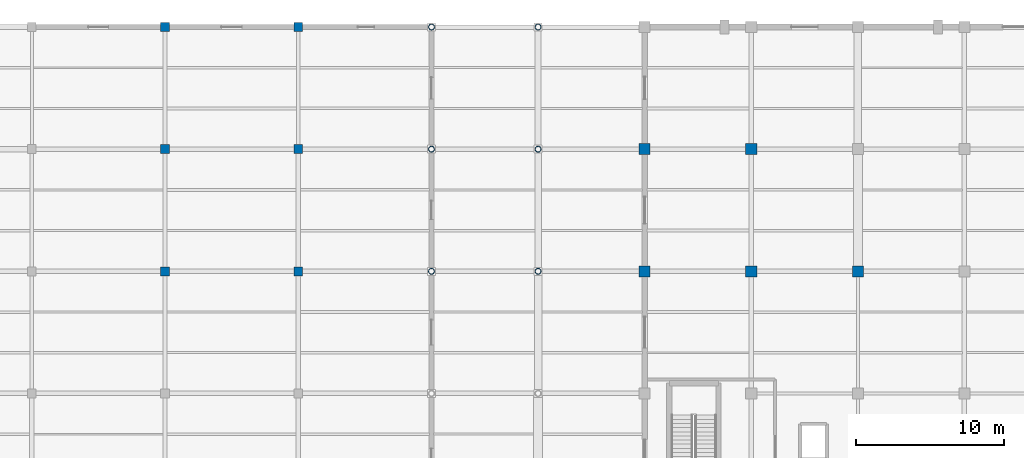
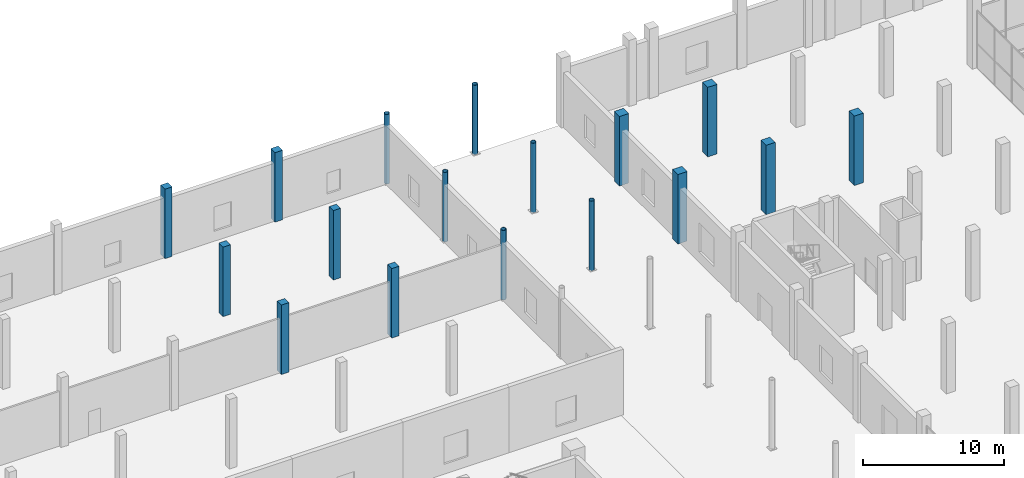
# One storey, part 9 of 144: 17 columns.
"""IFC4 building model written with IfcOpenShell, lengths in metres."""

from ifc_helpers import new_model, si_unit, direction, frame, origin, origin_2d, place, context, subcontext, project, spatial, rectangle, hollow_circle, extrude, material, material_profile, profile_set, type_object, element, save


model = new_model("IFC4")

# Units and contexts
model_context = context("Model", 3, precision=1e-05, world=origin(), true_north=direction((0.0, 1.0)))
body_context = subcontext(model_context, "Body", "Model", "MODEL_VIEW")
ifc_project = project(units=[si_unit("LENGTHUNIT", "METRE"), si_unit("AREAUNIT", "SQUARE_METRE"), si_unit("VOLUMEUNIT", "CUBIC_METRE"), si_unit("PLANEANGLEUNIT", "RADIAN"), si_unit("MASSUNIT", "GRAM", prefix="KILO")], contexts=[model_context])

# Site, building, storey
site_placement = place(None, origin())
site = spatial("IfcSite", under=ifc_project, at=site_placement, CompositionType="ELEMENT")
building_placement = place(site_placement, origin())
building = spatial("IfcBuilding", under=site, at=building_placement, Name="Sundgate Opera House", CompositionType="ELEMENT")
storey_placement = place(building_placement, origin())
storey = spatial("IfcBuildingStorey", under=building, at=storey_placement, Name="L00", CompositionType="ELEMENT", Elevation=0.0)

# Columns
ifc_material_1 = material(Name="Steel S355ML", Category="steel")
ifc_material_profile_1 = material_profile(ifc_material_1, hollow_circle(Radius=0.203125, WallThickness=0.02001953125, at=origin_2d()), Name="CHS 406.4x20.0")
ifc_profile_set_1 = profile_set([ifc_material_profile_1], Name="Steel S355ML")
column_type_1 = type_object("IfcColumnType", Name="CL-CHS-406", PredefinedType="COLUMN", material=ifc_profile_set_1)
for number, where, z_axis, x_axis, name in (
    (1, (81.0, 103.5, 0.0), (0.0, 0.0, 1.0), (1.0, 0.0, 0.0), "L00 Column C0572"),
    (2, (81.0, 111.75, 0.0), (0.0, 0.0, 1.0), (1.0, 0.0, 0.0), "L00 Column C0575"),
    (3, (81.0, 120.0, 0.0), (0.0, 0.0, 1.0), (1.0, 0.0, 0.0), "L00 Column C0578"),
    (4, (88.199951171875, 103.5, 0.0), (0.0, 0.0, 1.0), (1.0, 0.0, 0.0), "L00 Column C0617"),
    (5, (88.199951171875, 111.75, 0.0), (0.0, 0.0, 1.0), (1.0, 0.0, 0.0), "L00 Column C0620"),
    (6, (88.199951171875, 120.0, 0.0), (0.0, 0.0, 1.0), (1.0, 0.0, 0.0), "L00 Column C0623"),
):
    element("IfcColumn", number, at=place(storey_placement, frame(where, z_axis=z_axis, x_axis=x_axis)), inside=storey, type_object=column_type_1, Name=name, PredefinedType="COLUMN", context=body_context, shape_type="SweptSolid", body=[
        extrude(hollow_circle(Radius=0.203125, WallThickness=0.02001953125, at=origin_2d()), origin(), (0.0, 0.0, 1.0), 6.0),
    ])
ifc_material_2 = material(Name="Concrete C35/45", Category="concrete")
ifc_material_profile_2 = material_profile(ifc_material_2, rectangle(XDim=0.60009765625, YDim=0.60009765625, at=origin_2d()), Name="RC 600x600")
ifc_profile_set_2 = profile_set([ifc_material_profile_2], Name="Concrete C35/45")
column_type_2 = type_object("IfcColumnType", Name="CL-RC-600", PredefinedType="COLUMN", material=ifc_profile_set_2)
for number, where, z_axis, x_axis, name in (
    (7, (63.0, 103.5, 0.0), (0.0, 0.0, 1.0), (1.0, 0.0, 0.0), "L00 Column C0444"),
    (8, (63.0, 111.75, 0.0), (0.0, 0.0, 1.0), (1.0, 0.0, 0.0), "L00 Column C0449"),
    (9, (63.0, 120.0, 0.0), (0.0, 0.0, 1.0), (1.0, 0.0, 0.0), "L00 Column C0454"),
    (10, (72.0, 103.5, 0.0), (0.0, 0.0, 1.0), (1.0, 0.0, 0.0), "L00 Column C0509"),
    (11, (72.0, 111.75, 0.0), (0.0, 0.0, 1.0), (1.0, 0.0, 0.0), "L00 Column C0512"),
    (12, (72.0, 120.0, 0.0), (0.0, 0.0, 1.0), (1.0, 0.0, 0.0), "L00 Column C0515"),
):
    element("IfcColumn", number, at=place(storey_placement, frame(where, z_axis=z_axis, x_axis=x_axis)), inside=storey, type_object=column_type_2, Name=name, PredefinedType="COLUMN", context=body_context, shape_type="SweptSolid", body=[
        extrude(rectangle(XDim=0.60009765625, YDim=0.60009765625, at=origin_2d()), origin(), (0.0, 0.0, 1.0), 6.0),
    ])
ifc_material_3 = material(Name="Concrete C40/50", Category="concrete")
ifc_material_profile_3 = material_profile(ifc_material_3, rectangle(XDim=0.75, YDim=0.75, at=origin_2d()), Name="RC 750x750")
ifc_profile_set_3 = profile_set([ifc_material_profile_3], Name="Concrete C40/50")
column_type_3 = type_object("IfcColumnType", Name="CL-RC-750", PredefinedType="COLUMN", material=ifc_profile_set_3)
for number, where, z_axis, x_axis, name in (
    (13, (95.39990234375, 103.5, 0.0), (0.0, 0.0, 1.0), (1.0, 0.0, 0.0), "L00 Column C0681"),
    (14, (95.39990234375, 111.75, 0.0), (0.0, 0.0, 1.0), (1.0, 0.0, 0.0), "L00 Column C0687"),
    (15, (102.60009765625, 103.5, 0.0), (0.0, 0.0, 1.0), (1.0, 0.0, 0.0), "L00 Column C0745"),
    (16, (102.60009765625, 111.75, 0.0), (0.0, 0.0, 1.0), (1.0, 0.0, 0.0), "L00 Column C0751"),
    (17, (109.800048828125, 103.5, 0.0), (0.0, 0.0, 1.0), (1.0, 0.0, 0.0), "L00 Column C0806"),
):
    element("IfcColumn", number, at=place(storey_placement, frame(where, z_axis=z_axis, x_axis=x_axis)), inside=storey, type_object=column_type_3, Name=name, PredefinedType="COLUMN", context=body_context, shape_type="SweptSolid", body=[
        extrude(rectangle(XDim=0.75, YDim=0.75, at=origin_2d()), origin(), (0.0, 0.0, 1.0), 6.0),
    ])

save(model, "model.ifc")
